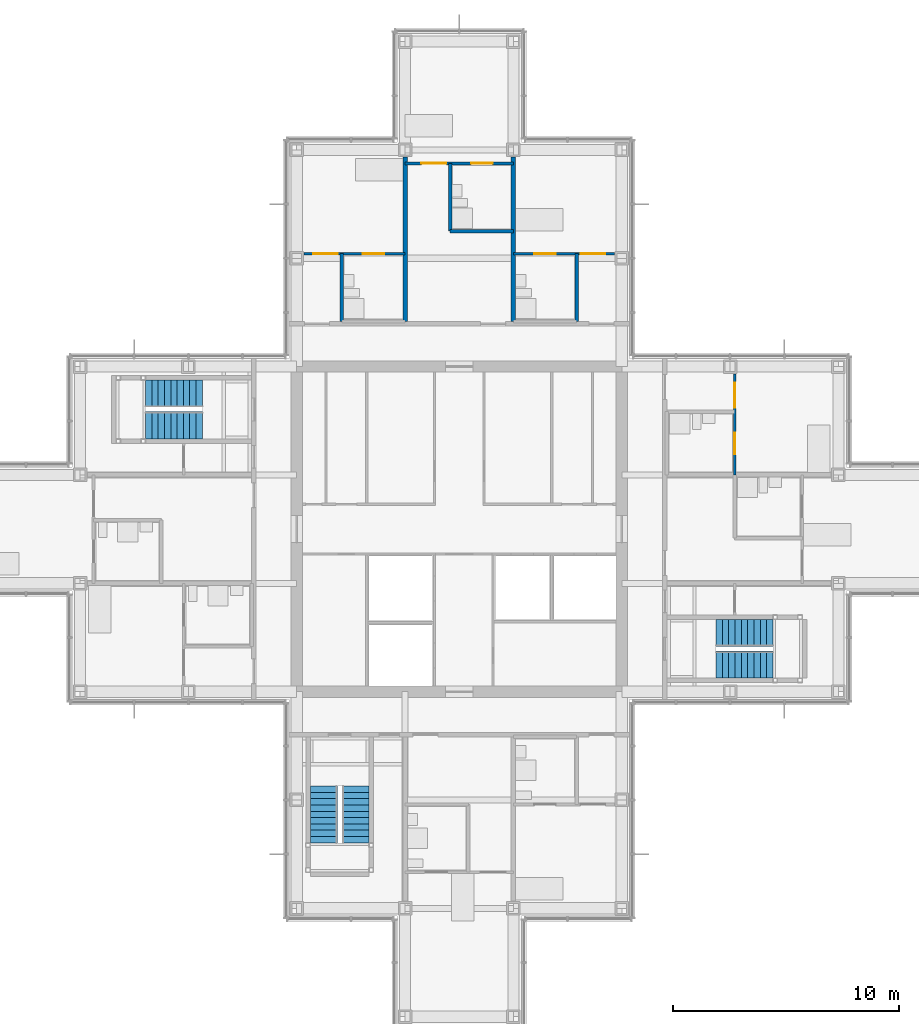
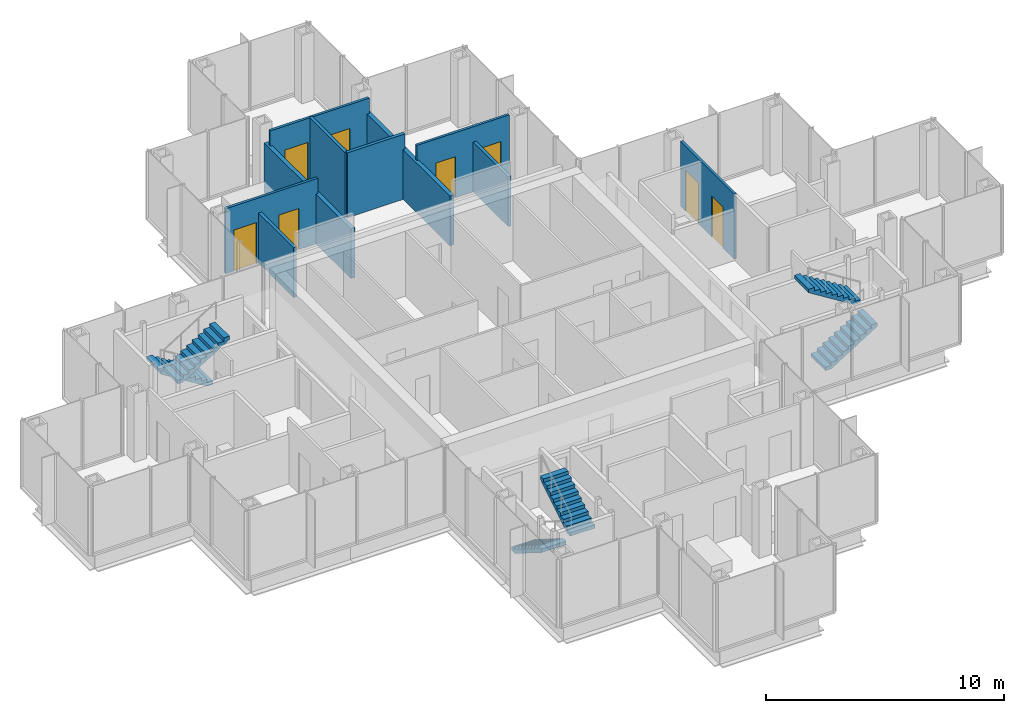
# One storey, part 14 of 17: 10 walls, 8 doors, 6 stair flights, 8 openings, 3 elements without a shape of their own.
"""IFC4 building model written with IfcOpenShell, lengths in metres."""

from ifc_helpers import new_model, si_unit, direction, frame, frame_2d, origin, place, context, subcontext, project, spatial, polyline, rectangle, outline, extrude, material, layer, layer_set, type_object, element, fill, aggregate, save


model = new_model("IFC4")

# Units and contexts
model_context = context("Model", 3, precision=1e-05, world=origin(), true_north=direction((0.0, 1.0)))
body_context = subcontext(model_context, "Body", "Model", "MODEL_VIEW")
ifc_project = project(units=[si_unit("LENGTHUNIT", "METRE"), si_unit("AREAUNIT", "SQUARE_METRE"), si_unit("VOLUMEUNIT", "CUBIC_METRE"), si_unit("PLANEANGLEUNIT", "RADIAN"), si_unit("MASSUNIT", "GRAM", prefix="KILO")], contexts=[model_context])

# Site, building, storey
site_placement = place(None, origin())
site = spatial("IfcSite", under=ifc_project, at=site_placement, CompositionType="ELEMENT")
building_placement = place(site_placement, origin())
building = spatial("IfcBuilding", under=site, at=building_placement, Name="Kvirike Care Tower", CompositionType="ELEMENT")
storey_placement = place(building_placement, frame((0.0, 0.0, 176.0)))
storey = spatial("IfcBuildingStorey", under=building, at=storey_placement, Name="L48", CompositionType="ELEMENT", Elevation=176.0)

# Walls
ifc_material_1 = material(Name="Moisture-resistant board partition", Category="gypsum")
ifc_layer_1 = layer(ifc_material_1, 0.14990234375)
ifc_layer_set_1 = layer_set([ifc_layer_1], Name="BATHROOM WALL 150")
wall_type_1 = type_object("IfcWallType", Name="BATHROOM WALL 150", PredefinedType="PARTITIONING", material=ifc_layer_set_1)
wall_1_placement = place(storey_placement, frame((26.800048828125, 48.199951171875, 0.0), z_axis=(0.0, 0.0, 1.0), x_axis=(0.0, -1.0, 0.0)))
element("IfcWall", 1, at=wall_1_placement, inside=storey, type_object=wall_type_1, Name="Bathroom Wall 150 L48", PredefinedType="PARTITIONING", context=body_context, shape_type="SweptSolid", body=[
    extrude(rectangle(XDim=3.0, YDim=0.14990234375, at=frame_2d((1.5, 0.0))), origin(), (0.0, 0.0, 1.0), 2.550048828125),
])
wall_2_placement = place(storey_placement, frame((21.199951171875, 52.199951171875, 0.0), z_axis=(0.0, 0.0, 1.0), x_axis=(0.0, -1.0, 0.0)))
element("IfcWall", 2, at=wall_2_placement, inside=storey, type_object=wall_type_1, Name="Bathroom Wall 150 L48", PredefinedType="PARTITIONING", context=body_context, shape_type="SweptSolid", body=[
    extrude(rectangle(XDim=3.0, YDim=0.14990234375, at=frame_2d((1.5, 0.0))), origin(), (0.0, 0.0, 1.0), 3.330078125),
])
wall_3_placement = place(storey_placement, frame((24.0, 49.199951171875, 0.0), z_axis=(0.0, 0.0, 1.0), x_axis=(-1.0, 0.0, 0.0)))
element("IfcWall", 3, at=wall_3_placement, inside=storey, type_object=wall_type_1, Name="Bathroom Wall 150 L48", PredefinedType="PARTITIONING", context=body_context, shape_type="SweptSolid", body=[
    extrude(rectangle(XDim=2.800048828125, YDim=0.14990234375, at=frame_2d((1.39990234375, 0.0))), origin(), (0.0, 0.0, 1.0), 3.330078125),
])
wall_4_placement = place(storey_placement, frame((16.39990234375, 48.199951171875, 0.0), z_axis=(0.0, 0.0, 1.0), x_axis=(0.0, -1.0, 0.0)))
element("IfcWall", 4, at=wall_4_placement, inside=storey, type_object=wall_type_1, Name="Bathroom Wall 150 L48", PredefinedType="PARTITIONING", context=body_context, shape_type="SweptSolid", body=[
    extrude(rectangle(XDim=3.0, YDim=0.14990234375, at=frame_2d((1.5, 0.0))), origin(), (0.0, 0.0, 1.0), 2.550048828125),
])

# Wall, openings, doors
ifc_material_2 = material(Name="Plasterboard partition", Category="gypsum")
ifc_layer_2 = layer(ifc_material_2, 0.1201171875)
ifc_layer_set_2 = layer_set([ifc_layer_2], Name="PARTITION 120")
wall_type_2 = type_object("IfcWallType", Name="PARTITION 120", PredefinedType="PARTITIONING", material=ifc_layer_set_2)
wall_5_placement = place(storey_placement, frame((28.47998046875, 48.199951171875, 0.0), z_axis=(0.0, 0.0, 1.0), x_axis=(-1.0, 0.0, 0.0)))
wall_5 = element("IfcWall", 5, at=wall_5_placement, inside=storey, type_object=wall_type_2, Name="Partition 120 L48", PredefinedType="PARTITIONING", context=body_context, shape_type="SweptSolid", body=[
    extrude(rectangle(XDim=4.47998046875, YDim=0.1201171875, at=frame_2d((2.239990234375, 0.0))), origin(), (0.0, 0.0, 1.0), 3.330078125),
])
opening_1_placement = place(wall_5_placement, frame((0.405029296875, 0.0, 0.0)))
opening_1 = element("IfcOpeningElement", 6, at=opening_1_placement, cuts=wall_5, Name="Opening 48-018", PredefinedType="OPENING", context=body_context, shape_type="SweptSolid", body=[
    extrude(rectangle(XDim=1.10009765625, YDim=2.10009765625, at=frame_2d((0.550048828125, 1.050048828125))), frame((0.0, 0.070556640625, 0.0), z_axis=(0.0, -1.0, 0.0), x_axis=(1.0, 0.0, 0.0)), (0.0, 0.0, 1.0), 0.14111328125),
])
opening_2_placement = place(wall_5_placement, frame((2.60498046875, 0.0, 0.0)))
opening_2 = element("IfcOpeningElement", 7, at=opening_2_placement, cuts=wall_5, Name="Opening 48-019", PredefinedType="OPENING", context=body_context, shape_type="SweptSolid", body=[
    extrude(rectangle(XDim=0.949951171875, YDim=2.10009765625, at=frame_2d((0.47509765625, 1.050048828125))), frame((0.0, 0.070556640625, 0.0), z_axis=(0.0, -1.0, 0.0), x_axis=(1.0, 0.0, 0.0)), (0.0, 0.0, 1.0), 0.14111328125),
])
ifc_material_3 = material(Name="Timber door set", Category="wood")
door_type_1 = type_object("IfcDoorType", Name="BEDROOM DOOR 1100", OperationType="SINGLE_SWING_LEFT", PredefinedType="DOOR", material=ifc_material_3)
door_1_placement = place(opening_1_placement, origin())
door_1 = element("IfcDoor", 8, at=door_1_placement, inside=storey, type_object=door_type_1, Name="Memory care bedroom door", OperationType="SINGLE_SWING_LEFT", OverallHeight=2.10009765625, OverallWidth=1.10009765625, PredefinedType="DOOR", context=body_context, shape_type="SweptSolid", body=[
    extrude(rectangle(XDim=1.10009765625, YDim=2.10009765625, at=frame_2d((0.550048828125, 1.050048828125))), frame((0.0, 0.02197265625, 0.0), z_axis=(0.0, -1.0, 0.0), x_axis=(1.0, 0.0, 0.0)), (0.0, 0.0, 1.0), 0.0439453125),
])
fill(opening_1, door_1)
ifc_material_4 = material(Name="Timber door set", Category="wood")
door_type_2 = type_object("IfcDoorType", Name="EN-SUITE SLIDING DOOR 950", OperationType="SLIDING_TO_LEFT", PredefinedType="DOOR", material=ifc_material_4)
door_2_placement = place(opening_2_placement, origin())
door_2 = element("IfcDoor", 9, at=door_2_placement, inside=storey, type_object=door_type_2, Name="En-suite door", OperationType="SLIDING_TO_RIGHT", OverallHeight=2.10009765625, OverallWidth=0.949951171875, PredefinedType="DOOR", context=body_context, shape_type="SweptSolid", body=[
    extrude(rectangle(XDim=0.949951171875, YDim=2.10009765625, at=frame_2d((0.47509765625, 1.050048828125))), frame((0.0, 0.02197265625, 0.0), z_axis=(0.0, -1.0, 0.0), x_axis=(1.0, 0.0, 0.0)), (0.0, 0.0, 1.0), 0.0439453125),
])
fill(opening_2, door_2)

wall_6_placement = place(storey_placement, frame((24.0, 52.199951171875, 0.0), z_axis=(0.0, 0.0, 1.0), x_axis=(-1.0, 0.0, 0.0)))
wall_6 = element("IfcWall", 10, at=wall_6_placement, inside=storey, type_object=wall_type_2, Name="Partition 120 L48", PredefinedType="PARTITIONING", context=body_context, shape_type="SweptSolid", body=[
    extrude(rectangle(XDim=4.800048828125, YDim=0.1201171875, at=frame_2d((2.39990234375, 0.0))), origin(), (0.0, 0.0, 1.0), 3.330078125),
])
opening_3_placement = place(wall_6_placement, frame((2.97509765625, 0.0, 0.0)))
opening_3 = element("IfcOpeningElement", 11, at=opening_3_placement, cuts=wall_6, Name="Opening 48-020", PredefinedType="OPENING", context=body_context, shape_type="SweptSolid", body=[
    extrude(rectangle(XDim=1.10009765625, YDim=2.10009765625, at=frame_2d((0.550048828125, 1.050048828125))), frame((0.0, 0.070556640625, 0.0), z_axis=(0.0, -1.0, 0.0), x_axis=(1.0, 0.0, 0.0)), (0.0, 0.0, 1.0), 0.14111328125),
])
opening_4_placement = place(wall_6_placement, frame((0.925048828125, 0.0, 0.0)))
opening_4 = element("IfcOpeningElement", 12, at=opening_4_placement, cuts=wall_6, Name="Opening 48-021", PredefinedType="OPENING", context=body_context, shape_type="SweptSolid", body=[
    extrude(rectangle(XDim=0.949951171875, YDim=2.10009765625, at=frame_2d((0.47509765625, 1.050048828125))), frame((0.0, 0.070556640625, 0.0), z_axis=(0.0, -1.0, 0.0), x_axis=(1.0, 0.0, 0.0)), (0.0, 0.0, 1.0), 0.14111328125),
])
door_3_placement = place(opening_3_placement, origin())
door_3 = element("IfcDoor", 13, at=door_3_placement, inside=storey, type_object=door_type_1, Name="Memory care bedroom door", OperationType="SINGLE_SWING_RIGHT", OverallHeight=2.10009765625, OverallWidth=1.10009765625, PredefinedType="DOOR", context=body_context, shape_type="SweptSolid", body=[
    extrude(rectangle(XDim=1.10009765625, YDim=2.10009765625, at=frame_2d((0.550048828125, 1.050048828125))), frame((0.0, 0.02197265625, 0.0), z_axis=(0.0, -1.0, 0.0), x_axis=(1.0, 0.0, 0.0)), (0.0, 0.0, 1.0), 0.0439453125),
])
fill(opening_3, door_3)
door_4_placement = place(opening_4_placement, origin())
door_4 = element("IfcDoor", 14, at=door_4_placement, inside=storey, type_object=door_type_2, Name="En-suite door", OperationType="SLIDING_TO_LEFT", OverallHeight=2.10009765625, OverallWidth=0.949951171875, PredefinedType="DOOR", context=body_context, shape_type="SweptSolid", body=[
    extrude(rectangle(XDim=0.949951171875, YDim=2.10009765625, at=frame_2d((0.47509765625, 1.050048828125))), frame((0.0, 0.02197265625, 0.0), z_axis=(0.0, -1.0, 0.0), x_axis=(1.0, 0.0, 0.0)), (0.0, 0.0, 1.0), 0.0439453125),
])
fill(opening_4, door_4)

wall_7_placement = place(storey_placement, frame((19.199951171875, 48.199951171875, 0.0), z_axis=(0.0, 0.0, 1.0), x_axis=(-1.0, 0.0, 0.0)))
wall_7 = element("IfcWall", 15, at=wall_7_placement, inside=storey, type_object=wall_type_2, Name="Partition 120 L48", PredefinedType="PARTITIONING", context=body_context, shape_type="SweptSolid", body=[
    extrude(rectangle(XDim=4.47998046875, YDim=0.1201171875, at=frame_2d((2.239990234375, 0.0))), origin(), (0.0, 0.0, 1.0), 3.330078125),
])
opening_5_placement = place(wall_7_placement, frame((2.97509765625, 0.0, 0.0)))
opening_5 = element("IfcOpeningElement", 16, at=opening_5_placement, cuts=wall_7, Name="Opening 48-022", PredefinedType="OPENING", context=body_context, shape_type="SweptSolid", body=[
    extrude(rectangle(XDim=1.10009765625, YDim=2.10009765625, at=frame_2d((0.550048828125, 1.050048828125))), frame((0.0, 0.070556640625, 0.0), z_axis=(0.0, -1.0, 0.0), x_axis=(1.0, 0.0, 0.0)), (0.0, 0.0, 1.0), 0.14111328125),
])
opening_6_placement = place(wall_7_placement, frame((0.925048828125, 0.0, 0.0)))
opening_6 = element("IfcOpeningElement", 17, at=opening_6_placement, cuts=wall_7, Name="Opening 48-023", PredefinedType="OPENING", context=body_context, shape_type="SweptSolid", body=[
    extrude(rectangle(XDim=0.949951171875, YDim=2.10009765625, at=frame_2d((0.47509765625, 1.050048828125))), frame((0.0, 0.070556640625, 0.0), z_axis=(0.0, -1.0, 0.0), x_axis=(1.0, 0.0, 0.0)), (0.0, 0.0, 1.0), 0.14111328125),
])
door_5_placement = place(opening_5_placement, origin())
door_5 = element("IfcDoor", 18, at=door_5_placement, inside=storey, type_object=door_type_1, Name="Memory care bedroom door", OperationType="SINGLE_SWING_RIGHT", OverallHeight=2.10009765625, OverallWidth=1.10009765625, PredefinedType="DOOR", context=body_context, shape_type="SweptSolid", body=[
    extrude(rectangle(XDim=1.10009765625, YDim=2.10009765625, at=frame_2d((0.550048828125, 1.050048828125))), frame((0.0, 0.02197265625, 0.0), z_axis=(0.0, -1.0, 0.0), x_axis=(1.0, 0.0, 0.0)), (0.0, 0.0, 1.0), 0.0439453125),
])
fill(opening_5, door_5)
door_6_placement = place(opening_6_placement, origin())
door_6 = element("IfcDoor", 19, at=door_6_placement, inside=storey, type_object=door_type_2, Name="En-suite door", OperationType="SLIDING_TO_LEFT", OverallHeight=2.10009765625, OverallWidth=0.949951171875, PredefinedType="DOOR", context=body_context, shape_type="SweptSolid", body=[
    extrude(rectangle(XDim=0.949951171875, YDim=2.10009765625, at=frame_2d((0.47509765625, 1.050048828125))), frame((0.0, 0.02197265625, 0.0), z_axis=(0.0, -1.0, 0.0), x_axis=(1.0, 0.0, 0.0)), (0.0, 0.0, 1.0), 0.0439453125),
])
fill(opening_6, door_6)

wall_8_placement = place(storey_placement, frame((33.800048828125, 38.39990234375, 0.0), z_axis=(0.0, 0.0, 1.0), x_axis=(0.0, 1.0, 0.0)))
wall_8 = element("IfcWall", 20, at=wall_8_placement, inside=storey, type_object=wall_type_2, Name="Partition 120 L48", PredefinedType="PARTITIONING", context=body_context, shape_type="SweptSolid", body=[
    extrude(rectangle(XDim=4.47998046875, YDim=0.1201171875, at=frame_2d((2.239990234375, 0.0))), origin(), (0.0, 0.0, 1.0), 3.330078125),
])
opening_7_placement = place(wall_8_placement, frame((2.97509765625, 0.0, 0.0)))
opening_7 = element("IfcOpeningElement", 21, at=opening_7_placement, cuts=wall_8, Name="Opening 48-030", PredefinedType="OPENING", context=body_context, shape_type="SweptSolid", body=[
    extrude(rectangle(XDim=1.10009765625, YDim=2.10009765625, at=frame_2d((0.550048828125, 1.050048828125))), frame((0.0, 0.070556640625, 0.0), z_axis=(0.0, -1.0, 0.0), x_axis=(1.0, 0.0, 0.0)), (0.0, 0.0, 1.0), 0.14111328125),
])
opening_8_placement = place(wall_8_placement, frame((0.925048828125, 0.0, 0.0)))
opening_8 = element("IfcOpeningElement", 22, at=opening_8_placement, cuts=wall_8, Name="Opening 48-031", PredefinedType="OPENING", context=body_context, shape_type="SweptSolid", body=[
    extrude(rectangle(XDim=0.949951171875, YDim=2.10009765625, at=frame_2d((0.47509765625, 1.050048828125))), frame((0.0, 0.070556640625, 0.0), z_axis=(0.0, -1.0, 0.0), x_axis=(1.0, 0.0, 0.0)), (0.0, 0.0, 1.0), 0.14111328125),
])
door_7_placement = place(opening_7_placement, origin())
door_7 = element("IfcDoor", 23, at=door_7_placement, inside=storey, type_object=door_type_1, Name="Memory care bedroom door", OperationType="SINGLE_SWING_RIGHT", OverallHeight=2.10009765625, OverallWidth=1.10009765625, PredefinedType="DOOR", context=body_context, shape_type="SweptSolid", body=[
    extrude(rectangle(XDim=1.10009765625, YDim=2.10009765625, at=frame_2d((0.550048828125, 1.050048828125))), frame((0.0, 0.02197265625, 0.0), z_axis=(0.0, -1.0, 0.0), x_axis=(1.0, 0.0, 0.0)), (0.0, 0.0, 1.0), 0.0439453125),
])
fill(opening_7, door_7)
door_8_placement = place(opening_8_placement, origin())
door_8 = element("IfcDoor", 24, at=door_8_placement, inside=storey, type_object=door_type_2, Name="En-suite door", OperationType="SLIDING_TO_LEFT", OverallHeight=2.10009765625, OverallWidth=0.949951171875, PredefinedType="DOOR", context=body_context, shape_type="SweptSolid", body=[
    extrude(rectangle(XDim=0.949951171875, YDim=2.10009765625, at=frame_2d((0.47509765625, 1.050048828125))), frame((0.0, 0.02197265625, 0.0), z_axis=(0.0, -1.0, 0.0), x_axis=(1.0, 0.0, 0.0)), (0.0, 0.0, 1.0), 0.0439453125),
])
fill(opening_8, door_8)

# Walls
ifc_material_5 = material(Name="Plasterboard party wall", Category="gypsum")
ifc_layer_3 = layer(ifc_material_5, 0.199951171875)
ifc_layer_set_3 = layer_set([ifc_layer_3], Name="PARTY WALL 200")
wall_type_3 = type_object("IfcWallType", Name="PARTY WALL 200", PredefinedType="PARTITIONING", material=ifc_layer_set_3)
for number, where, z_axis, x_axis, name in (
    (25, (24.0, 52.47998046875, 0.0), (0.0, 0.0, 1.0), (0.0, -1.0, 0.0), "Party Wall 200 L48"),
    (26, (19.199951171875, 52.47998046875, 0.0), (0.0, 0.0, 1.0), (0.0, -1.0, 0.0), "Party Wall 200 L48"),
):
    element("IfcWall", number, at=place(storey_placement, frame(where, z_axis=z_axis, x_axis=x_axis)), inside=storey, type_object=wall_type_3, Name=name, PredefinedType="PARTITIONING", context=body_context, shape_type="SweptSolid", body=[
        extrude(rectangle(XDim=7.280029296875, YDim=0.199951171875, at=frame_2d((3.64013671875, 0.0))), origin(), (0.0, 0.0, 1.0), 2.550048828125),
    ])

# Stair, stair flights
ifc_material_6 = material(Name="Concrete C35/45", Category="concrete")
stair_type = type_object("IfcStairType", Name="STAIR 20 RISERS", PredefinedType="HALF_TURN_STAIR", material=ifc_material_6)
stair_1_placement = place(storey_placement, origin())
stair_1 = element("IfcStair", 27, at=stair_1_placement, inside=storey, type_object=stair_type, Name="Stair 1 L48", PredefinedType="HALF_TURN_STAIR")
ifc_material_7 = material(Name="Concrete C35/45", Category="concrete")
stair_flight_type = type_object("IfcStairFlightType", Name="FLIGHT 10 RISERS", PredefinedType="STRAIGHT", material=ifc_material_7)
stair_flight_1_placement = place(storey_placement, frame((10.219970703125, 42.0, 0.0), z_axis=(0.0, 0.0, 1.0), x_axis=(-1.0, 0.0, 0.0)))
stair_flight_1 = element("IfcStairFlight", 28, at=stair_flight_1_placement, type_object=stair_flight_type, Name="Stair S1 flight 1 L48-L49", NumberOfRisers=10, NumberOfTreads=9, PredefinedType="STRAIGHT", RiserHeight=0.175, TreadLength=0.28, context=body_context, shape_type="SweptSolid", body=[
    extrude(outline(polyline([(0.0, 0.0), (0.0, 0.175048828125), (0.280029296875, 0.175048828125), (0.280029296875, 0.35009765625), (0.56005859375, 0.35009765625), (0.56005859375, 0.52490234375), (0.840087890625, 0.52490234375), (0.840087890625, 0.699951171875), (1.1201171875, 0.699951171875), (1.1201171875, 0.875), (1.39990234375, 0.875), (1.39990234375, 1.050048828125), (1.679931640625, 1.050048828125), (1.679931640625, 1.22509765625), (1.9599609375, 1.22509765625), (1.9599609375, 1.39990234375), (2.239990234375, 1.39990234375), (2.239990234375, 1.574951171875), (2.52001953125, 1.574951171875), (2.52001953125, 1.75), (2.52001953125, 1.398193359375), (0.28271484375, 0.0), (0.0, 0.0)])), frame((0.0, 0.60009765625, 0.0), z_axis=(0.0, -1.0, 0.0), x_axis=(1.0, 0.0, 0.0)), (0.0, 0.0, 1.0), 1.199951171875),
])
stair_flight_2_placement = place(storey_placement, frame((7.699951171875, 40.60009765625, 1.75), z_axis=(0.0, 0.0, 1.0), x_axis=(1.0, 0.0, 0.0)))
stair_flight_2 = element("IfcStairFlight", 29, at=stair_flight_2_placement, type_object=stair_flight_type, Name="Stair S1 flight 2 L48-L49", NumberOfRisers=10, NumberOfTreads=9, PredefinedType="STRAIGHT", RiserHeight=0.175, TreadLength=0.28, context=body_context, shape_type="SweptSolid", body=[
    extrude(outline(polyline([(0.0, 0.0), (0.0, 0.175048828125), (0.280029296875, 0.175048828125), (0.280029296875, 0.35009765625), (0.56005859375, 0.35009765625), (0.56005859375, 0.52490234375), (0.840087890625, 0.52490234375), (0.840087890625, 0.699951171875), (1.1201171875, 0.699951171875), (1.1201171875, 0.875), (1.39990234375, 0.875), (1.39990234375, 1.050048828125), (1.679931640625, 1.050048828125), (1.679931640625, 1.22509765625), (1.9599609375, 1.22509765625), (1.9599609375, 1.39990234375), (2.239990234375, 1.39990234375), (2.239990234375, 1.574951171875), (2.52001953125, 1.574951171875), (2.52001953125, 1.75), (2.52001953125, 1.398193359375), (0.28271484375, 0.0), (0.0, 0.0)])), frame((0.0, 0.60009765625, 0.0), z_axis=(0.0, -1.0, 0.0), x_axis=(1.0, 0.0, 0.0)), (0.0, 0.0, 1.0), 1.199951171875),
])
aggregate(stair_1, [stair_flight_1, stair_flight_2])

stair_2_placement = place(storey_placement, origin())
stair_2 = element("IfcStair", 30, at=stair_2_placement, inside=storey, type_object=stair_type, Name="Stair 2 L48", PredefinedType="HALF_TURN_STAIR")
stair_flight_3_placement = place(storey_placement, frame((32.97998046875, 30.0, 0.0), z_axis=(0.0, 0.0, 1.0), x_axis=(1.0, 0.0, 0.0)))
stair_flight_3 = element("IfcStairFlight", 31, at=stair_flight_3_placement, type_object=stair_flight_type, Name="Stair S2 flight 1 L48-L49", NumberOfRisers=10, NumberOfTreads=9, PredefinedType="STRAIGHT", RiserHeight=0.175, TreadLength=0.28, context=body_context, shape_type="SweptSolid", body=[
    extrude(outline(polyline([(0.0, 0.0), (0.0, 0.175048828125), (0.280029296875, 0.175048828125), (0.280029296875, 0.35009765625), (0.56005859375, 0.35009765625), (0.56005859375, 0.52490234375), (0.840087890625, 0.52490234375), (0.840087890625, 0.699951171875), (1.1201171875, 0.699951171875), (1.1201171875, 0.875), (1.39990234375, 0.875), (1.39990234375, 1.050048828125), (1.679931640625, 1.050048828125), (1.679931640625, 1.22509765625), (1.9599609375, 1.22509765625), (1.9599609375, 1.39990234375), (2.239990234375, 1.39990234375), (2.239990234375, 1.574951171875), (2.52001953125, 1.574951171875), (2.52001953125, 1.75), (2.52001953125, 1.398193359375), (0.28271484375, 0.0), (0.0, 0.0)])), frame((0.0, 0.60009765625, 0.0), z_axis=(0.0, -1.0, 0.0), x_axis=(1.0, 0.0, 0.0)), (0.0, 0.0, 1.0), 1.199951171875),
])
stair_flight_4_placement = place(storey_placement, frame((35.5, 31.39990234375, 1.75), z_axis=(0.0, 0.0, 1.0), x_axis=(-1.0, 0.0, 0.0)))
stair_flight_4 = element("IfcStairFlight", 32, at=stair_flight_4_placement, type_object=stair_flight_type, Name="Stair S2 flight 2 L48-L49", NumberOfRisers=10, NumberOfTreads=9, PredefinedType="STRAIGHT", RiserHeight=0.175, TreadLength=0.28, context=body_context, shape_type="SweptSolid", body=[
    extrude(outline(polyline([(0.0, 0.0), (0.0, 0.175048828125), (0.280029296875, 0.175048828125), (0.280029296875, 0.35009765625), (0.56005859375, 0.35009765625), (0.56005859375, 0.52490234375), (0.840087890625, 0.52490234375), (0.840087890625, 0.699951171875), (1.1201171875, 0.699951171875), (1.1201171875, 0.875), (1.39990234375, 0.875), (1.39990234375, 1.050048828125), (1.679931640625, 1.050048828125), (1.679931640625, 1.22509765625), (1.9599609375, 1.22509765625), (1.9599609375, 1.39990234375), (2.239990234375, 1.39990234375), (2.239990234375, 1.574951171875), (2.52001953125, 1.574951171875), (2.52001953125, 1.75), (2.52001953125, 1.398193359375), (0.28271484375, 0.0), (0.0, 0.0)])), frame((0.0, 0.60009765625, 0.0), z_axis=(0.0, -1.0, 0.0), x_axis=(1.0, 0.0, 0.0)), (0.0, 0.0, 1.0), 1.199951171875),
])
aggregate(stair_2, [stair_flight_3, stair_flight_4])

stair_3_placement = place(storey_placement, origin())
stair_3 = element("IfcStair", 33, at=stair_3_placement, inside=storey, type_object=stair_type, Name="Stair 5 L48", PredefinedType="HALF_TURN_STAIR")
stair_flight_5_placement = place(storey_placement, frame((15.60009765625, 24.6201171875, 0.0), z_axis=(0.0, 0.0, 1.0), x_axis=(0.0, -1.0, 0.0)))
stair_flight_5 = element("IfcStairFlight", 34, at=stair_flight_5_placement, type_object=stair_flight_type, Name="Stair S5 flight 1 L48-L49", NumberOfRisers=10, NumberOfTreads=9, PredefinedType="STRAIGHT", RiserHeight=0.175, TreadLength=0.28, context=body_context, shape_type="SweptSolid", body=[
    extrude(outline(polyline([(0.0, 0.0), (0.0, 0.175048828125), (0.280029296875, 0.175048828125), (0.280029296875, 0.35009765625), (0.56005859375, 0.35009765625), (0.56005859375, 0.52490234375), (0.840087890625, 0.52490234375), (0.840087890625, 0.699951171875), (1.1201171875, 0.699951171875), (1.1201171875, 0.875), (1.39990234375, 0.875), (1.39990234375, 1.050048828125), (1.679931640625, 1.050048828125), (1.679931640625, 1.22509765625), (1.9599609375, 1.22509765625), (1.9599609375, 1.39990234375), (2.239990234375, 1.39990234375), (2.239990234375, 1.574951171875), (2.52001953125, 1.574951171875), (2.52001953125, 1.75), (2.52001953125, 1.398193359375), (0.28271484375, 0.0), (0.0, 0.0)])), frame((0.0, 0.60009765625, 0.0), z_axis=(0.0, -1.0, 0.0), x_axis=(1.0, 0.0, 0.0)), (0.0, 0.0, 1.0), 1.199951171875),
])
stair_flight_6_placement = place(storey_placement, frame((17.0, 22.10009765625, 1.75), z_axis=(0.0, 0.0, 1.0), x_axis=(0.0, 1.0, 0.0)))
stair_flight_6 = element("IfcStairFlight", 35, at=stair_flight_6_placement, type_object=stair_flight_type, Name="Stair S5 flight 2 L48-L49", NumberOfRisers=10, NumberOfTreads=9, PredefinedType="STRAIGHT", RiserHeight=0.175, TreadLength=0.28, context=body_context, shape_type="SweptSolid", body=[
    extrude(outline(polyline([(0.0, 0.0), (0.0, 0.175048828125), (0.280029296875, 0.175048828125), (0.280029296875, 0.35009765625), (0.56005859375, 0.35009765625), (0.56005859375, 0.52490234375), (0.840087890625, 0.52490234375), (0.840087890625, 0.699951171875), (1.1201171875, 0.699951171875), (1.1201171875, 0.875), (1.39990234375, 0.875), (1.39990234375, 1.050048828125), (1.679931640625, 1.050048828125), (1.679931640625, 1.22509765625), (1.9599609375, 1.22509765625), (1.9599609375, 1.39990234375), (2.239990234375, 1.39990234375), (2.239990234375, 1.574951171875), (2.52001953125, 1.574951171875), (2.52001953125, 1.75), (2.52001953125, 1.398193359375), (0.28271484375, 0.0), (0.0, 0.0)])), frame((0.0, 0.60009765625, 0.0), z_axis=(0.0, -1.0, 0.0), x_axis=(1.0, 0.0, 0.0)), (0.0, 0.0, 1.0), 1.199951171875),
])
aggregate(stair_3, [stair_flight_5, stair_flight_6])

save(model, "model.ifc")
